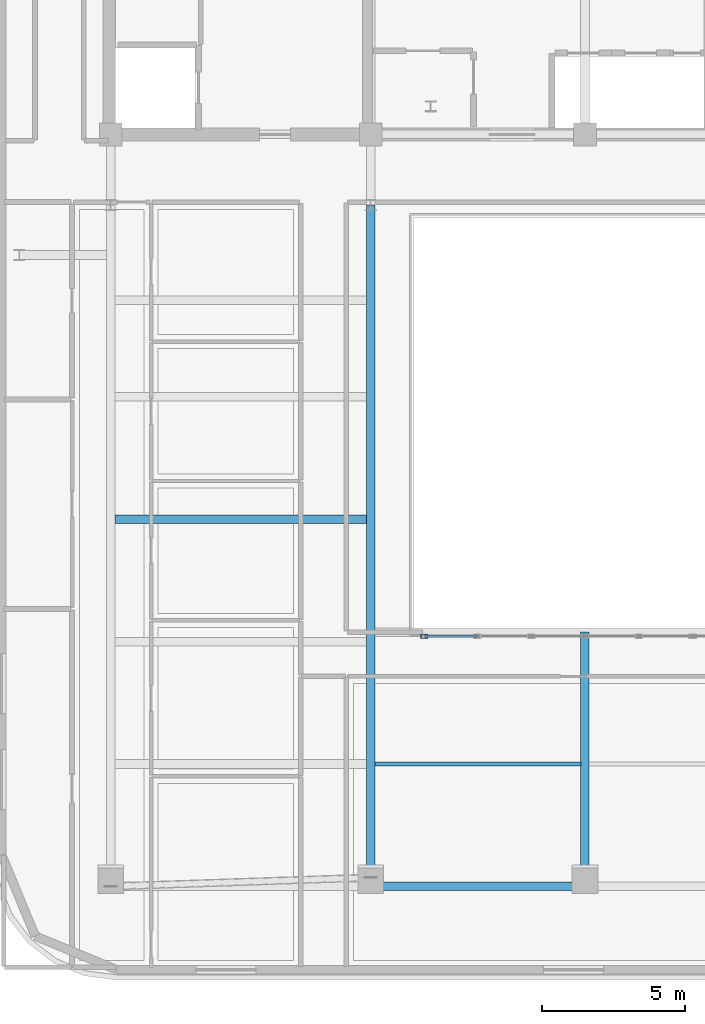
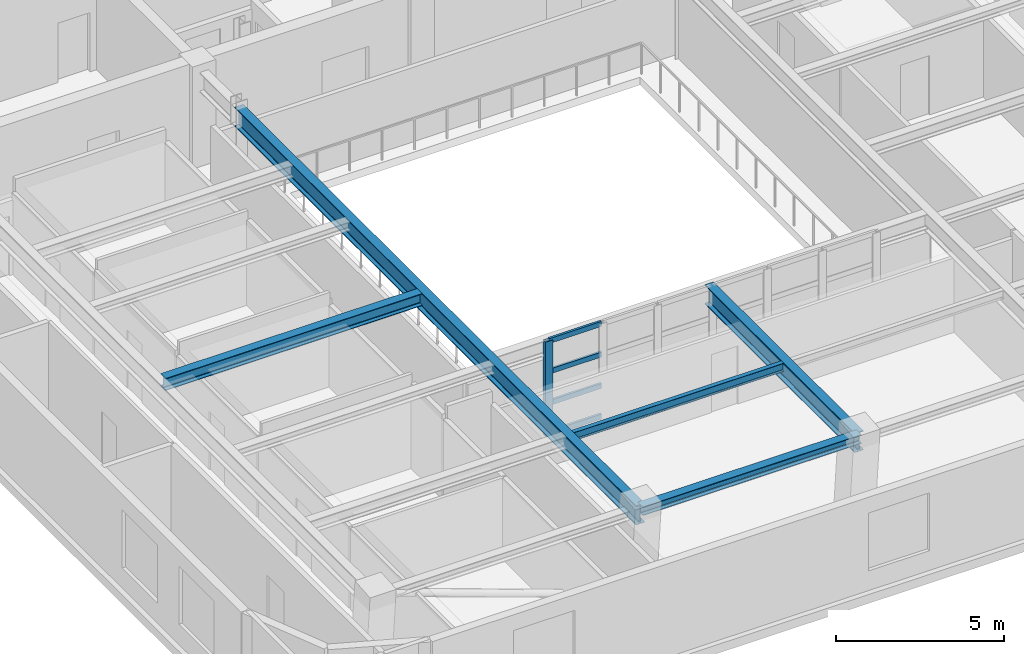
# One storey, part 2 of 12: 5 beams, 5 members, 1 element without a shape of its own.
"""IFC4 building model written with IfcOpenShell, lengths in metres."""

import ifcopenshell
import ifcopenshell.guid

model = None  # the IFC model being written
_history = None  # IfcOwnerHistory: only IFC2X3 demands one
_inside = {}  # id of a spatial element -> (the spatial element, [elements in it])
_under = {}  # id of a project, library or spatial element -> (it, [spatial elements below it])
_declared = {}  # id of a project -> (the project, [libraries it declares])
_typed = {}  # id of a type object -> (the type object, [elements of that type])
_made_of = {}  # id of a material, layer set ... -> (it, [elements and type objects made of it])


def new_model(schema):
    """Start an empty IFC model of exactly this schema.

    Asked for "IFC4X3", IfcOpenShell would pick the latest addendum, in which some entities
    have other attributes; the version numbers below select the first issue.
    IFC2X3 requires an IfcOwnerHistory on every rooted entity: one is made here for all.
    """
    global model, _history
    if schema == "IFC4X3":
        model = ifcopenshell.file(schema_version=(4, 3, 0, 0))
    else:
        model = ifcopenshell.file(schema=schema)
    _inside.clear()
    _under.clear()
    _declared.clear()
    _typed.clear()
    _made_of.clear()
    _history = None
    if model.schema == "IFC2X3":
        org = make("IfcOrganization", Name="unknown")
        user = make(
            "IfcPersonAndOrganization",
            ThePerson=make("IfcPerson", FamilyName="unknown"),
            TheOrganization=org,
        )
        app = make(
            "IfcApplication",
            ApplicationDeveloper=org,
            Version="unknown",
            ApplicationFullName="unknown",
            ApplicationIdentifier="unknown",
        )
        _history = make(
            "IfcOwnerHistory",
            OwningUser=user,
            OwningApplication=app,
            ChangeAction="ADDED",
            CreationDate=0,
        )
    return model


def make(cls, **values):
    """One entity of the class cls with the attributes given. An attribute that is None is left unset."""
    return model.create_entity(
        cls, **{name: value for name, value in values.items() if value is not None}
    )


def rooted(cls, **values):
    """An entity with a GlobalId (a new one), such as an element, a storey or a relation."""
    return make(cls, GlobalId=ifcopenshell.guid.new(), OwnerHistory=_history, **values)


def si_unit(unit_type, name, prefix=None):
    """IfcSIUnit, for example si_unit("LENGTHUNIT", "METRE", prefix="MILLI")."""
    return make("IfcSIUnit", UnitType=unit_type, Prefix=prefix, Name=name)


def assignment(units):
    """IfcUnitAssignment: the units of a project."""
    return None if units is None else make("IfcUnitAssignment", Units=units)


def point(xyz):
    """IfcCartesianPoint."""
    return None if xyz is None else make("IfcCartesianPoint", Coordinates=xyz)


def direction(xyz):
    """IfcDirection."""
    return None if xyz is None else make("IfcDirection", DirectionRatios=xyz)


def frame(location, z_axis=None, x_axis=None):
    """IfcAxis2Placement3D, a coordinate frame: its origin and axes. An axis left out is left unset."""
    return make(
        "IfcAxis2Placement3D",
        Location=point(location),
        Axis=direction(z_axis),
        RefDirection=direction(x_axis),
    )


def frame_2d(location, x_axis=None):
    """IfcAxis2Placement2D, a coordinate frame in the plane: its origin and x axis."""
    return make(
        "IfcAxis2Placement2D", Location=point(location), RefDirection=direction(x_axis)
    )


def origin():
    """The frame at (0, 0, 0) with its axes left unset."""
    return frame((0.0, 0.0, 0.0))


def origin_2d():
    """The frame at (0, 0) in the plane with its x axis left unset."""
    return frame_2d((0.0, 0.0))


def place(relative_to, where):
    """IfcLocalPlacement: puts the frame where relative to a parent placement (None: the world)."""
    return make(
        "IfcLocalPlacement", PlacementRelTo=relative_to, RelativePlacement=where
    )


def context(
    kind, dimensions, precision=None, world=None, true_north=None, identifier=None
):
    """IfcGeometricRepresentationContext, for example the 3D "Model" context."""
    return make(
        "IfcGeometricRepresentationContext",
        ContextIdentifier=identifier,
        ContextType=kind,
        CoordinateSpaceDimension=dimensions,
        Precision=precision,
        WorldCoordinateSystem=world,
        TrueNorth=true_north,
    )


def subcontext(parent, identifier, kind, view, scale=None):
    """IfcGeometricRepresentationSubContext, for example "Body" below "Model"."""
    return make(
        "IfcGeometricRepresentationSubContext",
        ContextIdentifier=identifier,
        ContextType=kind,
        ParentContext=parent,
        TargetScale=scale,
        TargetView=view,
    )


def project(units=None, contexts=None):
    """IfcProject with its units and contexts."""
    return rooted(
        "IfcProject",
        Name="project",
        RepresentationContexts=contexts,
        UnitsInContext=assignment(units),
    )


def spatial(cls, under=None, at=None, **own):
    """A site, building, storey or space (cls), placed at a placement, below another one or the project."""
    s = rooted(cls, ObjectPlacement=at, **own)
    if under is not None:
        _under.setdefault(under.id(), (under, []))[1].append(s)
    return s


def profile(cls, at=None, kind="AREA", **sizes):
    """A parametric profile (cls). Its sizes go by their IFC names, for example OverallWidth=200.0."""
    return make(cls, ProfileType=kind, Position=at, **sizes)


def hollow_rectangle(**sizes):
    """IfcRectangleHollowProfileDef."""
    return profile("IfcRectangleHollowProfileDef", **sizes)


def i_section(**sizes):
    """IfcIShapeProfileDef."""
    return profile("IfcIShapeProfileDef", **sizes)


def extrude(swept, where, along, depth):
    """IfcExtrudedAreaSolid: the profile swept, set in the frame where, extruded along a direction by depth."""
    return make(
        "IfcExtrudedAreaSolid",
        SweptArea=swept,
        Position=where,
        ExtrudedDirection=direction(along),
        Depth=depth,
    )


def shape(context_of_items, identifier, shape_type, items):
    """IfcShapeRepresentation: the items that make up one representation, for example the "Body"."""
    return make(
        "IfcShapeRepresentation",
        ContextOfItems=context_of_items,
        RepresentationIdentifier=identifier,
        RepresentationType=shape_type,
        Items=items,
    )


def material(Name=None, Category=None):
    """IfcMaterial."""
    return make("IfcMaterial", Name=Name, Category=Category)


def layer(
    of_material, thickness, ventilated=None, Name=None, Category=None, Priority=None
):
    """IfcMaterialLayer: one layer of a wall or slab, of a material (None: an air gap)."""
    return make(
        "IfcMaterialLayer",
        Material=of_material,
        LayerThickness=thickness,
        IsVentilated=ventilated,
        Name=Name,
        Category=Category,
        Priority=Priority,
    )


def layer_set(layers, Name=None):
    """IfcMaterialLayerSet."""
    return make("IfcMaterialLayerSet", MaterialLayers=layers, LayerSetName=Name)


def material_profile(
    of_material, cross_section, Name=None, Category=None, Priority=None
):
    """IfcMaterialProfile: a cross section and its material."""
    return make(
        "IfcMaterialProfile",
        Name=Name,
        Material=of_material,
        Profile=cross_section,
        Priority=Priority,
        Category=Category,
    )


def profile_set(profiles, Name=None, composite=None):
    """IfcMaterialProfileSet."""
    return make(
        "IfcMaterialProfileSet",
        Name=Name,
        MaterialProfiles=profiles,
        CompositeProfile=composite,
    )


def made_of(thing, what):
    """Note that an element or type object is made of a material, layer set ...; save() writes the relation."""
    if what is not None:
        _made_of.setdefault(what.id(), (what, []))[1].append(thing)
    return thing


def type_object(cls, material=None, **own):
    """A type object (cls), such as IfcWallType, which elements share."""
    return made_of(rooted(cls, **own), material)


def element(
    cls,
    number,
    at=None,
    inside=None,
    cuts=None,
    type_object=None,
    material=None,
    context=None,
    identifier="Body",
    shape_type=None,
    held_by="IfcProductDefinitionShape",
    body=None,
    shapes=None,
    **own,
):
    """One element of the class cls, such as IfcWall. Its Tag is "e" and its number.

    at: its placement. inside: the storey or other place that contains it. cuts: it is an
    opening in that element (IfcRelVoidsElement). A single representation is given by context,
    identifier, shape_type and body (its items); several are given by shapes. held_by: the class
    of the entity that holds the representations. save() writes the other relations.
    """
    e = rooted(cls, Tag="e%d" % number, ObjectPlacement=at, **own)
    if body is not None:
        shapes = [shape(context, identifier, shape_type, body)]
    if shapes is not None:
        e.Representation = make(held_by, Representations=shapes)
    if inside is not None:
        _inside.setdefault(inside.id(), (inside, []))[1].append(e)
    if cuts is not None:
        rooted(
            "IfcRelVoidsElement", RelatingBuildingElement=cuts, RelatedOpeningElement=e
        )
    if type_object is not None:
        _typed.setdefault(type_object.id(), (type_object, []))[1].append(e)
    return made_of(e, material)


def aggregate(whole, parts):
    """IfcRelAggregates: a whole, such as a stair, and the parts it consists of."""
    return rooted("IfcRelAggregates", RelatingObject=whole, RelatedObjects=parts)


def save(model, path):
    """Write the relations noted so far, then the file.

    IfcRelAggregates (storeys below a building ...), IfcRelContainedInSpatialStructure (elements
    in a storey), IfcRelDefinesByType, IfcRelAssociatesMaterial and IfcRelDeclares: one each for
    every whole, place, type object, material and project.
    """
    for whole, parts in _under.values():
        aggregate(whole, parts)
    for where, things in _inside.values():
        rooted(
            "IfcRelContainedInSpatialStructure",
            RelatedElements=things,
            RelatingStructure=where,
        )
    for kind, things in _typed.values():
        rooted("IfcRelDefinesByType", RelatedObjects=things, RelatingType=kind)
    for what, things in _made_of.values():
        rooted("IfcRelAssociatesMaterial", RelatedObjects=things, RelatingMaterial=what)
    for by, libraries in _declared.values():
        rooted("IfcRelDeclares", RelatingContext=by, RelatedDefinitions=libraries)
    model.write(path)


model = new_model("IFC4")

# Units and contexts
model_context = context("Model", 3, precision=1e-05, world=origin(), true_north=direction((0.0, 1.0)))
body_context = subcontext(model_context, "Body", "Model", "MODEL_VIEW")
ifc_project = project(units=[si_unit("LENGTHUNIT", "METRE"), si_unit("AREAUNIT", "SQUARE_METRE"), si_unit("VOLUMEUNIT", "CUBIC_METRE"), si_unit("PLANEANGLEUNIT", "RADIAN"), si_unit("MASSUNIT", "GRAM", prefix="KILO")], contexts=[model_context])

# Site, building, storey
site_placement = place(None, origin())
site = spatial("IfcSite", under=ifc_project, at=site_placement, CompositionType="ELEMENT")
building_placement = place(site_placement, origin())
building = spatial("IfcBuilding", under=site, at=building_placement, Name="Zarnavel Station Tower", CompositionType="ELEMENT")
storey_placement = place(building_placement, frame((0.0, 0.0, 269.5)))
storey = spatial("IfcBuildingStorey", under=building, at=storey_placement, Name="L73", CompositionType="ELEMENT", Elevation=269.5)

# Curtain wall, members
ifc_material_1 = material(Name="Aluminium Dark Anodised and Solar-Control Glass", Category="aluminium")
ifc_layer = layer(ifc_material_1, 0.179931640625)
ifc_layer_set = layer_set([ifc_layer], Name="CWS6")
curtain_wall_type = type_object("IfcCurtainWallType", Name="CWS6", PredefinedType="NOTDEFINED", material=ifc_layer_set)
curtain_wall_placement = place(storey_placement, origin())
curtain_wall = element("IfcCurtainWall", 1, at=curtain_wall_placement, inside=storey, type_object=curtain_wall_type, Name="L73 Curtain Wall CWS6-L73-AS", PredefinedType="NOTDEFINED")
ifc_material_2 = material(Name="Steel S355J2 (Black Fluoropolymer Coated)", Category="steel")
ifc_material_profile_1 = material_profile(ifc_material_2, hollow_rectangle(XDim=0.14990234375, YDim=0.25, WallThickness=0.010009765625, at=origin_2d()), Name="RHS250x150x10")
ifc_profile_set_1 = profile_set([ifc_material_profile_1], Name="Steel S355J2 (Black Fluoropolymer Coated)")
member_type_1 = type_object("IfcMemberType", Name="CWS6_MUL", PredefinedType="MULLION", material=ifc_profile_set_1)
member_1_placement = place(storey_placement, frame((23.179931640625, 10.25, 0.0), z_axis=(0.0, 0.0, 1.0), x_axis=(0.0, 1.0, 0.0)))
member_1 = element("IfcMember", 2, at=member_1_placement, type_object=member_type_1, Name="CW6 mullion 1", PredefinedType="MULLION", context=body_context, shape_type="SweptSolid", body=[
    extrude(hollow_rectangle(XDim=0.14990234375, YDim=0.25, WallThickness=0.010009765625, at=origin_2d()), origin(), (0.0, 0.0, 1.0), 3.419921875),
])
ifc_material_3 = material(Name="Steel S355J2 (Black Fluoropolymer Coated)", Category="steel")
ifc_material_profile_2 = material_profile(ifc_material_3, hollow_rectangle(XDim=0.080078125, YDim=0.179931640625, WallThickness=0.00634765625, at=origin_2d()), Name="RHS180x80x6.3")
ifc_profile_set_2 = profile_set([ifc_material_profile_2], Name="Steel S355J2 (Black Fluoropolymer Coated)")
member_type_2 = type_object("IfcMemberType", Name="CWS6_TRN", PredefinedType="USERDEFINED", material=ifc_profile_set_2)
member_2_placement = place(storey_placement, frame((23.2099609375, 10.25, 0.030029296875), z_axis=(1.0, 0.0, 0.0), x_axis=(0.0, 1.0, 0.0)))
member_2 = element("IfcMember", 3, at=member_2_placement, type_object=member_type_2, Name="CW6 transom 1.1", ObjectType="TRANSOM", PredefinedType="USERDEFINED", context=body_context, shape_type="SweptSolid", body=[
    extrude(hollow_rectangle(XDim=0.080078125, YDim=0.179931640625, WallThickness=0.00634765625, at=origin_2d()), origin(), (0.0, 0.0, 1.0), 1.79345703125),
])
member_3_placement = place(storey_placement, frame((23.2099609375, 10.25, 1.139892578125), z_axis=(1.0, 0.0, 0.0), x_axis=(0.0, 1.0, 0.0)))
member_3 = element("IfcMember", 4, at=member_3_placement, type_object=member_type_2, Name="CW6 transom 1.2", ObjectType="TRANSOM", PredefinedType="USERDEFINED", context=body_context, shape_type="SweptSolid", body=[
    extrude(hollow_rectangle(XDim=0.080078125, YDim=0.179931640625, WallThickness=0.00634765625, at=origin_2d()), origin(), (0.0, 0.0, 1.0), 1.79345703125),
])
member_4_placement = place(storey_placement, frame((23.2099609375, 10.25, 2.280029296875), z_axis=(1.0, 0.0, 0.0), x_axis=(0.0, 1.0, 0.0)))
member_4 = element("IfcMember", 5, at=member_4_placement, type_object=member_type_2, Name="CW6 transom 1.3", ObjectType="TRANSOM", PredefinedType="USERDEFINED", context=body_context, shape_type="SweptSolid", body=[
    extrude(hollow_rectangle(XDim=0.080078125, YDim=0.179931640625, WallThickness=0.00634765625, at=origin_2d()), origin(), (0.0, 0.0, 1.0), 1.79345703125),
])
member_5_placement = place(storey_placement, frame((23.2099609375, 10.25, 3.389892578125), z_axis=(1.0, 0.0, 0.0), x_axis=(0.0, 1.0, 0.0)))
member_5 = element("IfcMember", 6, at=member_5_placement, type_object=member_type_2, Name="CW6 transom 1.4", ObjectType="TRANSOM", PredefinedType="USERDEFINED", context=body_context, shape_type="SweptSolid", body=[
    extrude(hollow_rectangle(XDim=0.080078125, YDim=0.179931640625, WallThickness=0.00634765625, at=origin_2d()), origin(), (0.0, 0.0, 1.0), 1.79345703125),
])
aggregate(curtain_wall, [member_1, member_2, member_3, member_4, member_5])

# Beams
ifc_material_4 = material(Name="Steel S355J2", Category="steel")
ifc_material_profile_3 = material_profile(ifc_material_4, i_section(OverallWidth=0.300048828125, OverallDepth=0.320068359375, WebThickness=0.011474609375, FlangeThickness=0.0205078125, FilletRadius=0.027099609375, at=origin_2d()), Name="HEB320")
ifc_profile_set_3 = profile_set([ifc_material_profile_3], Name="Steel S355J2")
beam_type_1 = type_object("IfcBeamType", Name="EB_HEB320", PredefinedType="SPANDREL", material=ifc_profile_set_3)
beam_1_placement = place(storey_placement, frame((21.300048828125, 1.49609375, 3.260009765625), z_axis=(1.0, 0.0, 0.0), x_axis=(0.0, 1.0, 0.0)))
element("IfcBeam", 7, at=beam_1_placement, inside=storey, type_object=beam_type_1, Name="L73 South Raked Spandrel 2", PredefinedType="SPANDREL", context=body_context, shape_type="SweptSolid", body=[
    extrude(i_section(OverallWidth=0.300048828125, OverallDepth=0.320068359375, WebThickness=0.011474609375, FlangeThickness=0.0205078125, FilletRadius=0.027099609375, at=origin_2d()), origin(), (0.0, 0.0, 1.0), 7.5),
])
ifc_material_5 = material(Name="Steel S355J2", Category="steel")
ifc_material_profile_4 = material_profile(ifc_material_5, i_section(OverallWidth=0.300048828125, OverallDepth=0.43994140625, WebThickness=0.011474609375, FlangeThickness=0.02099609375, FilletRadius=0.027099609375, at=origin_2d()), Name="HEA450")
ifc_profile_set_4 = profile_set([ifc_material_profile_4], Name="Steel S355J2")
beam_type_2 = type_object("IfcBeamType", Name="FB_HEA450", PredefinedType="BEAM", material=ifc_profile_set_4)
beam_2_placement = place(storey_placement, frame((12.344970703125, 14.347900390625, 3.199951171875), z_axis=(1.0, 0.0, 0.0), x_axis=(0.0, 1.0, 0.0)))
element("IfcBeam", 8, at=beam_2_placement, inside=storey, type_object=beam_type_2, Name="L73 West Bay Beam 3", PredefinedType="BEAM", context=body_context, shape_type="SweptSolid", body=[
    extrude(i_section(OverallWidth=0.300048828125, OverallDepth=0.43994140625, WebThickness=0.011474609375, FlangeThickness=0.02099609375, FilletRadius=0.027099609375, at=origin_2d()), origin(), (0.0, 0.0, 1.0), 8.81005859375),
])
ifc_material_6 = material(Name="Steel S355J2", Category="steel")
ifc_material_profile_5 = material_profile(ifc_material_6, i_section(OverallWidth=0.300048828125, OverallDepth=0.699951171875, WebThickness=0.01708984375, FlangeThickness=0.031982421875, FilletRadius=0.027099609375, at=origin_2d()), Name="HEB700")
ifc_profile_set_5 = profile_set([ifc_material_profile_5], Name="Steel S355J2")
beam_type_3 = type_object("IfcBeamType", Name="FG_HEB700", PredefinedType="USERDEFINED", material=ifc_profile_set_5)
beam_3_placement = place(storey_placement, frame((21.300048828125, 1.49609375, 3.070068359375), z_axis=(0.0, 1.0, 0.0), x_axis=(-1.0, 0.0, 0.0)))
element("IfcBeam", 9, at=beam_3_placement, inside=storey, type_object=beam_type_3, Name="L73 South-Zone NS Girder 2", ObjectType="GIRDER", PredefinedType="USERDEFINED", context=body_context, shape_type="SweptSolid", body=[
    extrude(i_section(OverallWidth=0.300048828125, OverallDepth=0.699951171875, WebThickness=0.01708984375, FlangeThickness=0.031982421875, FilletRadius=0.027099609375, at=origin_2d()), origin(), (0.0, 0.0, 1.0), 23.85400390625),
])
beam_4_placement = place(storey_placement, frame((28.800048828125, 1.49609375, 3.070068359375), z_axis=(0.0, 1.0, 0.0), x_axis=(-1.0, 0.0, 0.0)))
element("IfcBeam", 10, at=beam_4_placement, inside=storey, type_object=beam_type_3, Name="L73 Central Atrium-South Girder", ObjectType="GIRDER", PredefinedType="USERDEFINED", context=body_context, shape_type="SweptSolid", body=[
    extrude(i_section(OverallWidth=0.300048828125, OverallDepth=0.699951171875, WebThickness=0.01708984375, FlangeThickness=0.031982421875, FilletRadius=0.027099609375, at=origin_2d()), origin(), (0.0, 0.0, 1.0), 8.90380859375),
])
ifc_material_7 = material(Name="Steel S355J2", Category="steel")
ifc_material_profile_6 = material_profile(ifc_material_7, i_section(OverallWidth=0.14990234375, OverallDepth=0.300048828125, WebThickness=0.007080078125, FlangeThickness=0.0107421875, FilletRadius=0.014892578125, at=origin_2d()), Name="IPE300")
ifc_profile_set_6 = profile_set([ifc_material_profile_6], Name="Steel S355J2")
beam_type_4 = type_object("IfcBeamType", Name="FJ_IPE300", PredefinedType="JOIST", material=ifc_profile_set_6)
beam_5_placement = place(storey_placement, frame((21.445068359375, 5.780029296875, 3.27001953125), z_axis=(1.0, 0.0, 0.0), x_axis=(0.0, 1.0, 0.0)))
element("IfcBeam", 11, at=beam_5_placement, inside=storey, type_object=beam_type_4, Name="L73 Mid-West Joist 1", PredefinedType="JOIST", context=body_context, shape_type="SweptSolid", body=[
    extrude(i_section(OverallWidth=0.14990234375, OverallDepth=0.300048828125, WebThickness=0.007080078125, FlangeThickness=0.0107421875, FilletRadius=0.014892578125, at=origin_2d()), origin(), (0.0, 0.0, 1.0), 7.2099609375),
])

save(model, "model.ifc")
